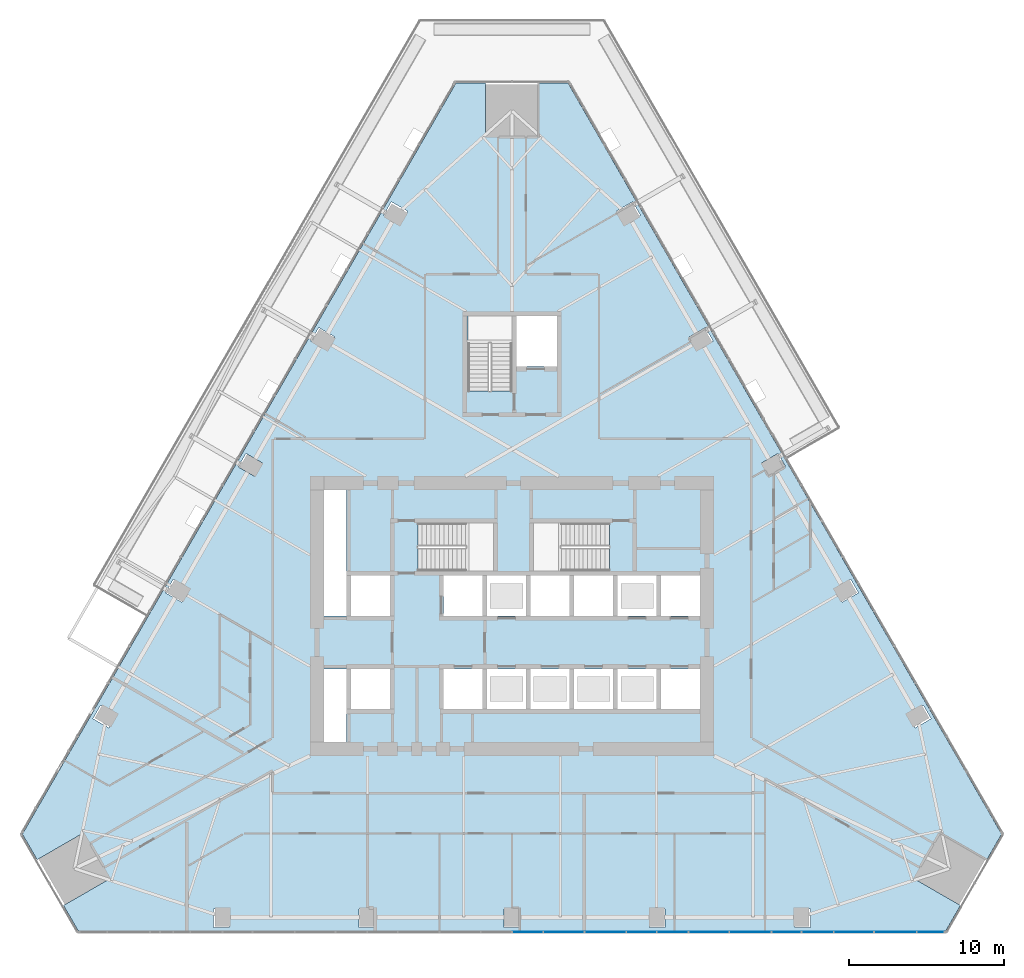
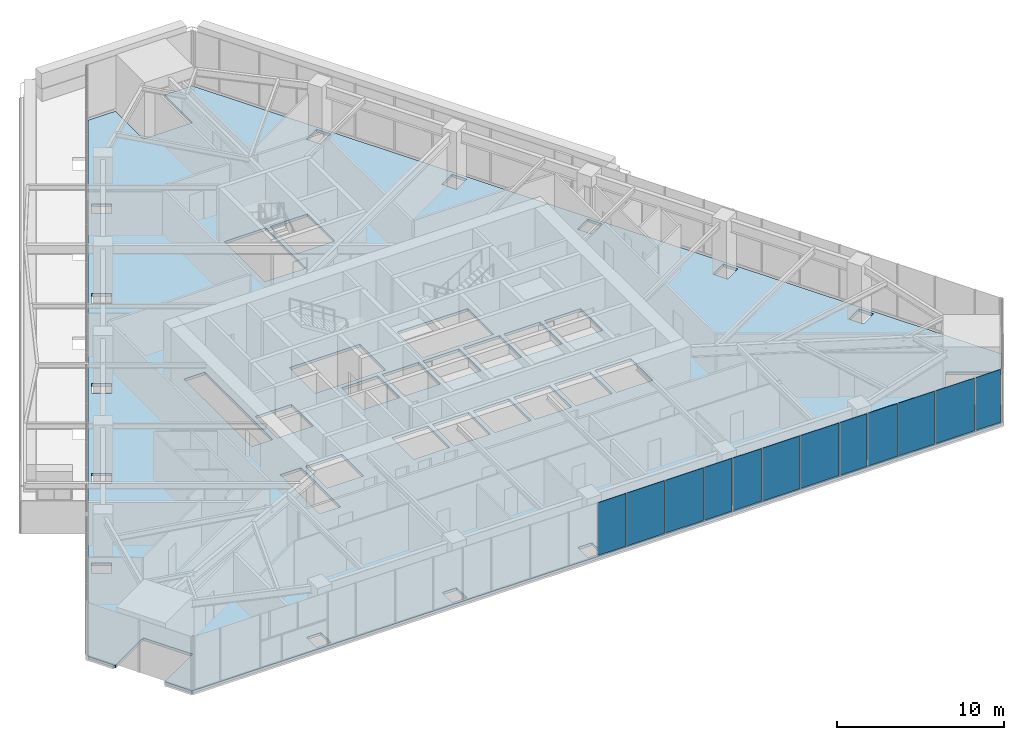
# One storey, part 12 of 26: 12 plates, 1 slab, 1 element without a shape of its own.
"""IFC4 building model written with IfcOpenShell, lengths in metres."""

from ifc_helpers import new_model, si_unit, direction, frame, origin, place, context, subcontext, project, spatial, polyline, outline, extrude, material, layer, layer_set, type_object, element, aggregate, save


model = new_model("IFC4")

# Units and contexts
model_context = context("Model", 3, precision=1e-05, world=origin(), true_north=direction((0.0, 1.0)))
body_context = subcontext(model_context, "Body", "Model", "MODEL_VIEW")
ifc_project = project(units=[si_unit("LENGTHUNIT", "METRE"), si_unit("AREAUNIT", "SQUARE_METRE"), si_unit("VOLUMEUNIT", "CUBIC_METRE"), si_unit("PLANEANGLEUNIT", "RADIAN"), si_unit("MASSUNIT", "GRAM", prefix="KILO")], contexts=[model_context])

# Site, building, storey
site_placement = place(None, origin())
site = spatial("IfcSite", under=ifc_project, at=site_placement, CompositionType="ELEMENT")
building_placement = place(site_placement, origin())
building = spatial("IfcBuilding", under=site, at=building_placement, Name="Firuza Gate Tower and Library", CompositionType="ELEMENT")
storey_placement = place(building_placement, frame((0.0, 0.0, 115.60009765625)))
storey = spatial("IfcBuildingStorey", under=building, at=storey_placement, Name="L26", CompositionType="ELEMENT", Elevation=115.60009765625)

# Slab
ifc_material_1 = material(Name="Concrete C40/50", Category="concrete")
ifc_layer_1 = layer(ifc_material_1, 0.199951171875)
ifc_layer_set_1 = layer_set([ifc_layer_1], Name="Composite floor slab 200 C40/50")
slab_type = type_object("IfcSlabType", Name="Composite floor slab 200 C40/50", PredefinedType="FLOOR", material=ifc_layer_set_1)
slab_placement = place(storey_placement, frame((0.0, 0.0, -0.2001953125)))
element("IfcSlab", 1, at=slab_placement, inside=storey, type_object=slab_type, Name="Floor slab L26", PredefinedType="FLOOR", context=body_context, shape_type="SweptSolid", body=[
    extrude(outline(polyline([(102.915283203125, 54.726318359375), (103.865234375, 56.37158203125), (100.9814453125, 58.03662109375), (102.681640625, 60.98095703125), (105.565185546875, 59.316162109375), (106.51513671875, 60.961669921875), (78.60009765625, 109.31201171875), (76.699951171875, 109.31201171875), (76.699951171875, 105.982421875), (73.300048828125, 105.982421875), (73.300048828125, 109.31201171875), (71.39990234375, 109.31201171875), (43.48486328125, 60.961669921875), (44.434814453125, 59.316162109375), (47.318359375, 60.98095703125), (49.0185546875, 58.03662109375), (46.134765625, 56.37158203125), (47.084716796875, 54.726318359375), (102.915283203125, 54.726318359375)]), holes=[polyline([(55.79150390625, 54.941162109375), (55.79150390625, 56.14111328125), (56.79150390625, 56.14111328125), (56.79150390625, 54.941162109375), (55.79150390625, 54.941162109375)]), polyline([(65.145751953125, 54.941162109375), (65.145751953125, 56.14111328125), (66.145751953125, 56.14111328125), (66.145751953125, 54.941162109375), (65.145751953125, 54.941162109375)]), polyline([(48.524169921875, 69.260498046875), (49.5634765625, 68.660400390625), (49.0634765625, 67.79443359375), (48.024169921875, 68.39453125), (48.524169921875, 69.260498046875)]), polyline([(64.35009765625, 66.89990234375), (62.89990234375, 66.89990234375), (62.89990234375, 71.60009765625), (64.35009765625, 71.60009765625), (64.35009765625, 66.89990234375)]), polyline([(75.89990234375, 69.0), (73.39990234375, 69.0), (73.39990234375, 71.60009765625), (75.89990234375, 71.60009765625), (75.89990234375, 69.0)]), polyline([(73.10009765625, 69.0), (70.60009765625, 69.0), (70.60009765625, 71.60009765625), (73.10009765625, 71.60009765625), (73.10009765625, 69.0)]), polyline([(64.64990234375, 69.0), (64.64990234375, 71.60009765625), (67.14990234375, 71.60009765625), (67.14990234375, 69.0), (64.64990234375, 69.0)]), polyline([(64.64990234375, 75.0), (64.64990234375, 77.60009765625), (67.14990234375, 77.60009765625), (67.14990234375, 75.0), (64.64990234375, 75.0)]), polyline([(75.89990234375, 75.0), (73.39990234375, 75.0), (73.39990234375, 77.60009765625), (75.89990234375, 77.60009765625), (75.89990234375, 75.0)]), polyline([(73.10009765625, 75.0), (70.60009765625, 75.0), (70.60009765625, 77.60009765625), (73.10009765625, 77.60009765625), (73.10009765625, 75.0)]), polyline([(53.201416015625, 77.361572265625), (54.24072265625, 76.761474609375), (53.74072265625, 75.8955078125), (52.701416015625, 76.495361328125), (53.201416015625, 77.361572265625)]), polyline([(62.89990234375, 75.0), (62.89990234375, 83.10009765625), (64.35009765625, 83.10009765625), (64.35009765625, 75.0), (62.89990234375, 75.0)]), polyline([(68.9404296875, 77.89990234375), (68.9404296875, 80.97998046875), (73.81005859375, 80.97998046875), (73.81005859375, 77.89990234375), (68.9404296875, 77.89990234375)]), polyline([(57.87841796875, 85.46240234375), (58.917724609375, 84.862548828125), (58.417724609375, 83.996337890625), (57.37841796875, 84.596435546875), (57.87841796875, 85.46240234375)]), polyline([(72.159912109375, 89.470458984375), (72.159912109375, 94.300048828125), (75.0, 94.300048828125), (75.0, 89.470458984375), (72.159912109375, 89.470458984375)]), polyline([(62.5556640625, 93.5634765625), (63.5947265625, 92.96337890625), (63.0947265625, 92.097412109375), (62.0556640625, 92.697509765625), (62.5556640625, 93.5634765625)]), polyline([(68.27197265625, 101.064453125), (67.77197265625, 100.198486328125), (66.732666015625, 100.79833984375), (67.232666015625, 101.66455078125), (68.27197265625, 101.064453125)]), polyline([(93.20849609375, 54.941162109375), (93.20849609375, 56.14111328125), (94.20849609375, 56.14111328125), (94.20849609375, 54.941162109375), (93.20849609375, 54.941162109375)]), polyline([(74.5, 54.941162109375), (74.5, 56.14111328125), (75.5, 56.14111328125), (75.5, 54.941162109375), (74.5, 54.941162109375)]), polyline([(83.854248046875, 54.941162109375), (83.854248046875, 56.14111328125), (84.854248046875, 56.14111328125), (84.854248046875, 54.941162109375), (83.854248046875, 54.941162109375)]), polyline([(101.975830078125, 68.39453125), (100.9365234375, 67.79443359375), (100.4365234375, 68.660400390625), (101.475830078125, 69.260498046875), (101.975830078125, 68.39453125)]), polyline([(78.699951171875, 69.0), (76.199951171875, 69.0), (76.199951171875, 71.60009765625), (78.699951171875, 71.60009765625), (78.699951171875, 69.0)]), polyline([(81.5, 69.0), (79.0, 69.0), (79.0, 71.60009765625), (81.5, 71.60009765625), (81.5, 69.0)]), polyline([(84.60009765625, 69.0), (84.60009765625, 71.60009765625), (87.10009765625, 71.60009765625), (87.10009765625, 69.0), (84.60009765625, 69.0)]), polyline([(81.800048828125, 69.0), (81.800048828125, 71.60009765625), (84.300048828125, 71.60009765625), (84.300048828125, 69.0), (81.800048828125, 69.0)]), polyline([(84.300048828125, 75.0), (81.800048828125, 75.0), (81.800048828125, 77.60009765625), (84.300048828125, 77.60009765625), (84.300048828125, 75.0)]), polyline([(87.10009765625, 75.0), (84.60009765625, 75.0), (84.60009765625, 77.60009765625), (87.10009765625, 77.60009765625), (87.10009765625, 75.0)]), polyline([(81.5, 75.0), (79.0, 75.0), (79.0, 77.60009765625), (81.5, 77.60009765625), (81.5, 75.0)]), polyline([(76.199951171875, 75.0), (76.199951171875, 77.60009765625), (78.699951171875, 77.60009765625), (78.699951171875, 75.0), (76.199951171875, 75.0)]), polyline([(96.25927734375, 75.8955078125), (95.75927734375, 76.761474609375), (96.798583984375, 77.361572265625), (97.298583984375, 76.495361328125), (96.25927734375, 75.8955078125)]), polyline([(81.259521484375, 77.89990234375), (76.389892578125, 77.89990234375), (76.389892578125, 80.97998046875), (81.259521484375, 80.97998046875), (81.259521484375, 77.89990234375)]), polyline([(92.62158203125, 84.596435546875), (91.582275390625, 83.996337890625), (91.082275390625, 84.862548828125), (92.12158203125, 85.46240234375), (92.62158203125, 84.596435546875)]), polyline([(77.89990234375, 91.050048828125), (75.300048828125, 91.050048828125), (75.300048828125, 94.300048828125), (77.89990234375, 94.300048828125), (77.89990234375, 91.050048828125)]), polyline([(86.9052734375, 92.097412109375), (86.4052734375, 92.96337890625), (87.4443359375, 93.5634765625), (87.9443359375, 92.697509765625), (86.9052734375, 92.097412109375)]), polyline([(82.22802734375, 100.198486328125), (81.72802734375, 101.064453125), (82.767333984375, 101.66455078125), (83.267333984375, 100.79833984375), (82.22802734375, 100.198486328125)])]), origin(), (0.0, 0.0, 1.0), 0.2001953125),
])

# Curtain wall, plates
ifc_material_2 = material(Name="Aluminium 6063-T6", Category="aluminium")
ifc_layer_2 = layer(ifc_material_2, 0.14990234375)
ifc_layer_set_2 = layer_set([ifc_layer_2], Name="Unitised curtain wall, offices")
curtain_wall_type = type_object("IfcCurtainWallType", Name="Unitised curtain wall, offices", PredefinedType="NOTDEFINED", material=ifc_layer_set_2)
curtain_wall_placement = place(storey_placement, origin())
curtain_wall = element("IfcCurtainWall", 2, at=curtain_wall_placement, inside=storey, type_object=curtain_wall_type, Name="CW1 L26 S face", PredefinedType="NOTDEFINED")
ifc_material_3 = material(Name="Fritted glass", Category="glass")
ifc_layer_3 = layer(ifc_material_3, 0.030029296875)
ifc_layer_set_3 = layer_set([ifc_layer_3], Name="Fritted glass unit, offices")
plate_type_1 = type_object("IfcPlateType", Name="Fritted glass unit, offices", PredefinedType="CURTAIN_PANEL", material=ifc_layer_set_3)
plate_1_placement = place(storey_placement, frame((75.0400390625, 54.63623046875, 0.14990234375), z_axis=(0.0, -1.0, 0.0), x_axis=(1.0, 0.0, 0.0)))
plate_1 = element("IfcPlate", 3, at=plate_1_placement, type_object=plate_type_1, Name="Glass unit", PredefinedType="CURTAIN_PANEL", context=body_context, shape_type="SweptSolid", body=[
    extrude(outline(polyline([(0.0, 0.0), (1.92431640625, 0.0), (1.92431640625, 3.85009765625), (0.0, 3.85009765625), (0.0, 0.0)])), origin(), (0.0, 0.0, -1.0), 0.030029296875),
])
plate_2_placement = place(storey_placement, frame((82.389892578125, 54.63623046875, 0.14990234375), z_axis=(0.0, -1.0, 0.0), x_axis=(1.0, 0.0, 0.0)))
plate_2 = element("IfcPlate", 4, at=plate_2_placement, type_object=plate_type_1, Name="Glass unit", PredefinedType="CURTAIN_PANEL", context=body_context, shape_type="SweptSolid", body=[
    extrude(outline(polyline([(0.0, 0.0), (1.8896484375, 0.0), (1.8896484375, 3.85009765625), (0.0, 3.85009765625), (0.0, 0.0)])), origin(), (0.0, 0.0, -1.0), 0.030029296875),
])
plate_3_placement = place(storey_placement, frame((84.359375, 54.63623046875, 0.14990234375), z_axis=(0.0, -1.0, 0.0), x_axis=(1.0, 0.0, 0.0)))
plate_3 = element("IfcPlate", 5, at=plate_3_placement, type_object=plate_type_1, Name="Glass unit", PredefinedType="CURTAIN_PANEL", context=body_context, shape_type="SweptSolid", body=[
    extrude(outline(polyline([(0.0, 0.0), (1.959228515625, 0.0), (1.959228515625, 3.85009765625), (0.0, 3.85009765625), (0.0, 0.0)])), origin(), (0.0, 0.0, -1.0), 0.030029296875),
])
plate_4_placement = place(storey_placement, frame((91.744140625, 54.63623046875, 0.14990234375), z_axis=(0.0, -1.0, 0.0), x_axis=(1.0, 0.0, 0.0)))
plate_4 = element("IfcPlate", 6, at=plate_4_placement, type_object=plate_type_1, Name="Glass unit", PredefinedType="CURTAIN_PANEL", context=body_context, shape_type="SweptSolid", body=[
    extrude(outline(polyline([(0.0, 0.0), (1.854736328125, 0.0), (1.854736328125, 3.85009765625), (0.0, 3.85009765625), (0.0, 0.0)])), origin(), (0.0, 0.0, -1.0), 0.030029296875),
])
plate_5_placement = place(storey_placement, frame((93.678955078125, 54.63623046875, 0.14990234375), z_axis=(0.0, -1.0, 0.0), x_axis=(1.0, 0.0, 0.0)))
plate_5 = element("IfcPlate", 7, at=plate_5_placement, type_object=plate_type_1, Name="Glass unit", PredefinedType="CURTAIN_PANEL", context=body_context, shape_type="SweptSolid", body=[
    extrude(outline(polyline([(0.0, 0.0), (1.993896484375, 0.0), (1.993896484375, 3.85009765625), (0.0, 3.85009765625), (0.0, 0.0)])), origin(), (0.0, 0.0, -1.0), 0.030029296875),
])
plate_6_placement = place(storey_placement, frame((101.098388671875, 54.63623046875, 0.14990234375), z_axis=(0.0, -1.0, 0.0), x_axis=(1.0, 0.0, 0.0)))
plate_6 = element("IfcPlate", 8, at=plate_6_placement, type_object=plate_type_1, Name="Glass unit", PredefinedType="CURTAIN_PANEL", context=body_context, shape_type="SweptSolid", body=[
    extrude(outline(polyline([(0.0, 0.0), (1.701416015625, 0.0), (1.701416015625, 3.85009765625), (0.0, 3.85009765625), (0.0, 0.0)])), origin(), (0.0, 0.0, -1.0), 0.030029296875),
])
ifc_material_4 = material(Name="Glazed ceramic tile")
ifc_layer_4 = layer(ifc_material_4, 0.030029296875)
ifc_layer_set_4 = layer_set([ifc_layer_4], Name="Opaque ceramic panel, offices")
plate_type_2 = type_object("IfcPlateType", Name="Opaque ceramic panel, offices", PredefinedType="CURTAIN_PANEL", material=ifc_layer_set_4)
plate_7_placement = place(storey_placement, frame((77.04443359375, 54.63623046875, 0.14990234375), z_axis=(0.0, -1.0, 0.0), x_axis=(1.0, 0.0, 0.0)))
plate_7 = element("IfcPlate", 9, at=plate_7_placement, type_object=plate_type_2, Name="Opaque ceramic panel", PredefinedType="CURTAIN_PANEL", context=body_context, shape_type="SweptSolid", body=[
    extrude(outline(polyline([(0.0, 0.0), (2.5751953125, 0.0), (2.5751953125, 3.85009765625), (0.0, 3.85009765625), (0.0, 0.0)])), origin(), (0.0, 0.0, -1.0), 0.030029296875),
])
plate_8_placement = place(storey_placement, frame((79.69970703125, 54.63623046875, 0.14990234375), z_axis=(0.0, -1.0, 0.0), x_axis=(1.0, 0.0, 0.0)))
plate_8 = element("IfcPlate", 10, at=plate_8_placement, type_object=plate_type_2, Name="Opaque ceramic panel", PredefinedType="CURTAIN_PANEL", context=body_context, shape_type="SweptSolid", body=[
    extrude(outline(polyline([(0.0, 0.0), (2.610107421875, 0.0), (2.610107421875, 3.85009765625), (0.0, 3.85009765625), (0.0, 0.0)])), origin(), (0.0, 0.0, -1.0), 0.030029296875),
])
plate_9_placement = place(storey_placement, frame((86.3984375, 54.63623046875, 0.14990234375), z_axis=(0.0, -1.0, 0.0), x_axis=(1.0, 0.0, 0.0)))
plate_9 = element("IfcPlate", 11, at=plate_9_placement, type_object=plate_type_2, Name="Opaque ceramic panel", PredefinedType="CURTAIN_PANEL", context=body_context, shape_type="SweptSolid", body=[
    extrude(outline(polyline([(0.0, 0.0), (2.540771484375, 0.0), (2.540771484375, 3.85009765625), (0.0, 3.85009765625), (0.0, 0.0)])), origin(), (0.0, 0.0, -1.0), 0.030029296875),
])
plate_10_placement = place(storey_placement, frame((89.019287109375, 54.63623046875, 0.14990234375), z_axis=(0.0, -1.0, 0.0), x_axis=(1.0, 0.0, 0.0)))
plate_10 = element("IfcPlate", 12, at=plate_10_placement, type_object=plate_type_2, Name="Opaque ceramic panel", PredefinedType="CURTAIN_PANEL", context=body_context, shape_type="SweptSolid", body=[
    extrude(outline(polyline([(0.0, 0.0), (2.644775390625, 0.0), (2.644775390625, 3.85009765625), (0.0, 3.85009765625), (0.0, 0.0)])), origin(), (0.0, 0.0, -1.0), 0.030029296875),
])
plate_11_placement = place(storey_placement, frame((95.752685546875, 54.63623046875, 0.14990234375), z_axis=(0.0, -1.0, 0.0), x_axis=(1.0, 0.0, 0.0)))
plate_11 = element("IfcPlate", 13, at=plate_11_placement, type_object=plate_type_2, Name="Opaque ceramic panel", PredefinedType="CURTAIN_PANEL", context=body_context, shape_type="SweptSolid", body=[
    extrude(outline(polyline([(0.0, 0.0), (2.506103515625, 0.0), (2.506103515625, 3.85009765625), (0.0, 3.85009765625), (0.0, 0.0)])), origin(), (0.0, 0.0, -1.0), 0.030029296875),
])
plate_12_placement = place(storey_placement, frame((98.338623046875, 54.63623046875, 0.14990234375), z_axis=(0.0, -1.0, 0.0), x_axis=(1.0, 0.0, 0.0)))
plate_12 = element("IfcPlate", 14, at=plate_12_placement, type_object=plate_type_2, Name="Opaque ceramic panel", PredefinedType="CURTAIN_PANEL", context=body_context, shape_type="SweptSolid", body=[
    extrude(outline(polyline([(0.0, 0.0), (2.6796875, 0.0), (2.6796875, 3.85009765625), (0.0, 3.85009765625), (0.0, 0.0)])), origin(), (0.0, 0.0, -1.0), 0.030029296875),
])
aggregate(curtain_wall, [plate_1, plate_7, plate_8, plate_2, plate_3, plate_9, plate_10, plate_4, plate_5, plate_11, plate_12, plate_6])

save(model, "model.ifc")
